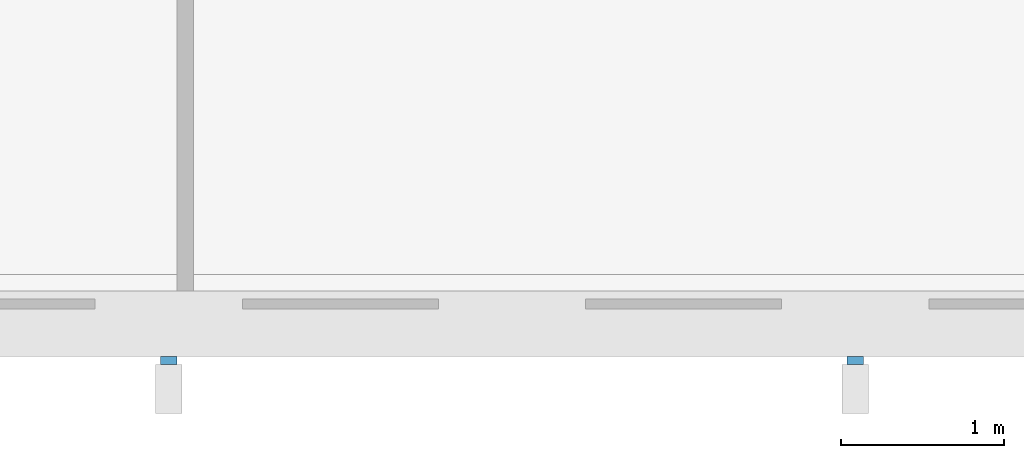
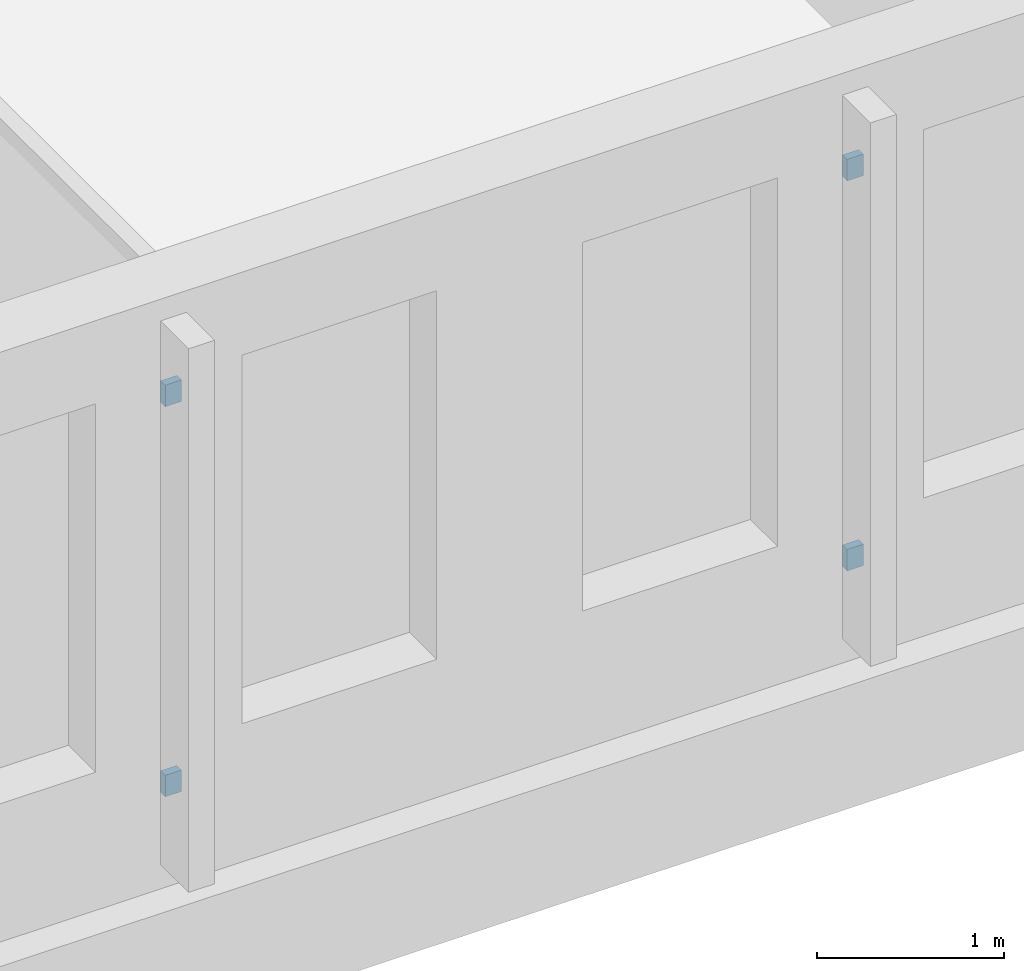
# One storey, part 69 of 103: 4 discrete accessories.
"""IFC4 building model written with IfcOpenShell, lengths in metres."""

from ifc_helpers import new_model, si_unit, direction, frame, origin, origin_2d, place, context, subcontext, project, spatial, rectangle, extrude, material, layer, layer_set, type_object, element, save


model = new_model("IFC4")

# Units and contexts
model_context = context("Model", 3, precision=1e-05, world=origin(), true_north=direction((0.0, 1.0)))
body_context = subcontext(model_context, "Body", "Model", "MODEL_VIEW")
ifc_project = project(units=[si_unit("LENGTHUNIT", "METRE"), si_unit("AREAUNIT", "SQUARE_METRE"), si_unit("VOLUMEUNIT", "CUBIC_METRE"), si_unit("PLANEANGLEUNIT", "RADIAN"), si_unit("MASSUNIT", "GRAM", prefix="KILO")], contexts=[model_context])

# Site, building, storey
site_placement = place(None, origin())
site = spatial("IfcSite", under=ifc_project, at=site_placement, CompositionType="ELEMENT")
building_placement = place(site_placement, origin())
building = spatial("IfcBuilding", under=site, at=building_placement, Name="Larchfold Concert Hall", CompositionType="ELEMENT")
storey_placement = place(building_placement, frame((0.0, 0.0, 9.60009765625)))
storey = spatial("IfcBuildingStorey", under=building, at=storey_placement, Name="L02", CompositionType="ELEMENT", Elevation=9.60009765625)

# Discrete accessories
ifc_material = material(Name="Steel S355 galvanised bracket", Category="steel")
ifc_layer = layer(ifc_material, 0.10009765625)
ifc_layer_set = layer_set([ifc_layer], Name="Steel S355 galvanised bracket")
discrete_accessory_type = type_object("IfcDiscreteAccessoryType", Name="Fin support bracket short", PredefinedType="BRACKET", material=ifc_layer_set)
for number, where, z_axis, x_axis, name in (
    (1, (27.89990234375, 0.375, 0.6298828125), (0.0, 0.0, 1.0), (0.0, -1.0, 0.0), "Fin bracket FN-L02-025-1"),
    (2, (27.89990234375, 0.375, 3.169921875), (0.0, 0.0, 1.0), (0.0, -1.0, 0.0), "Fin bracket FN-L02-025-2"),
    (3, (32.10009765625, 0.375, 0.6298828125), (0.0, 0.0, 1.0), (0.0, -1.0, 0.0), "Fin bracket FN-L02-026-1"),
    (4, (32.10009765625, 0.375, 3.169921875), (0.0, 0.0, 1.0), (0.0, -1.0, 0.0), "Fin bracket FN-L02-026-2"),
):
    element("IfcDiscreteAccessory", number, at=place(storey_placement, frame(where, z_axis=z_axis, x_axis=x_axis)), inside=storey, type_object=discrete_accessory_type, Name=name, PredefinedType="BRACKET", context=body_context, shape_type="SweptSolid", body=[
        extrude(rectangle(XDim=0.050048828125, YDim=0.10009765625, at=origin_2d()), origin(), (0.0, 0.0, 1.0), 0.139892578125),
    ])

save(model, "model.ifc")
